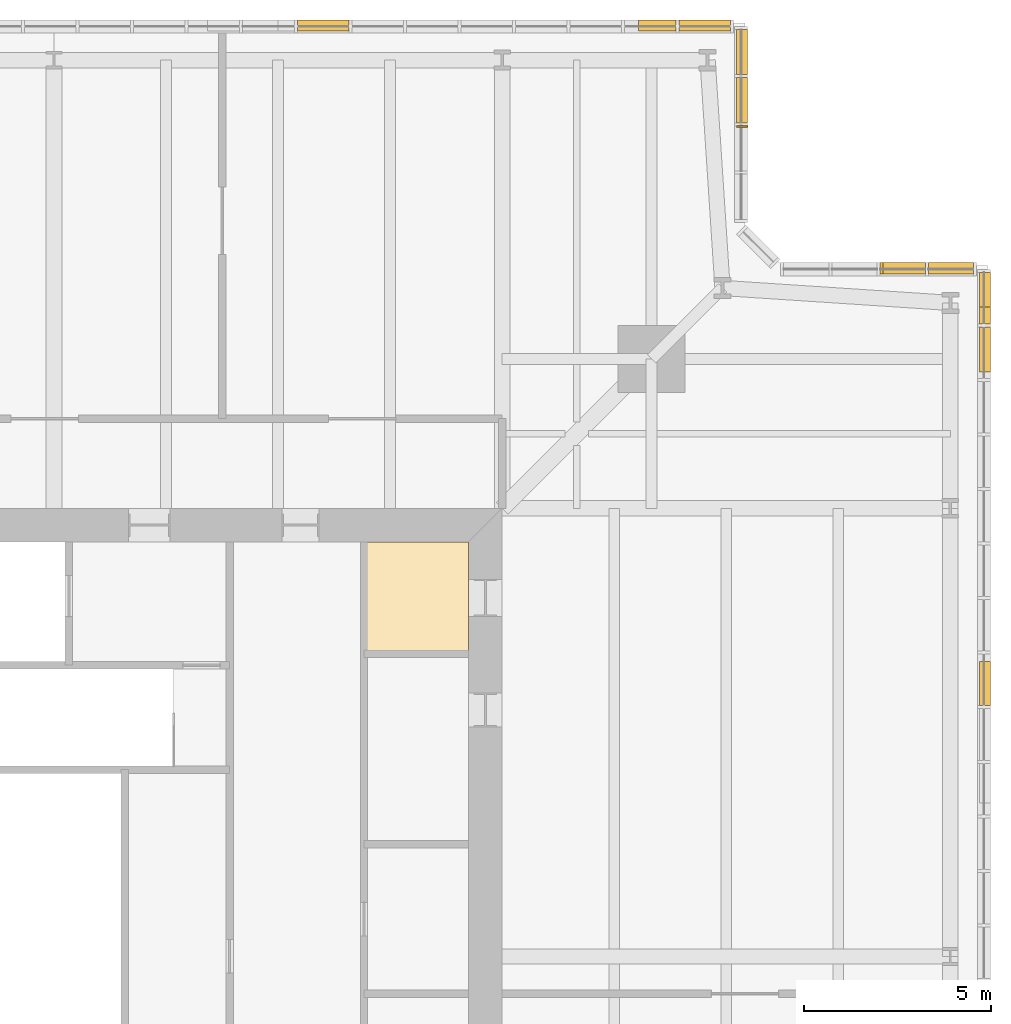
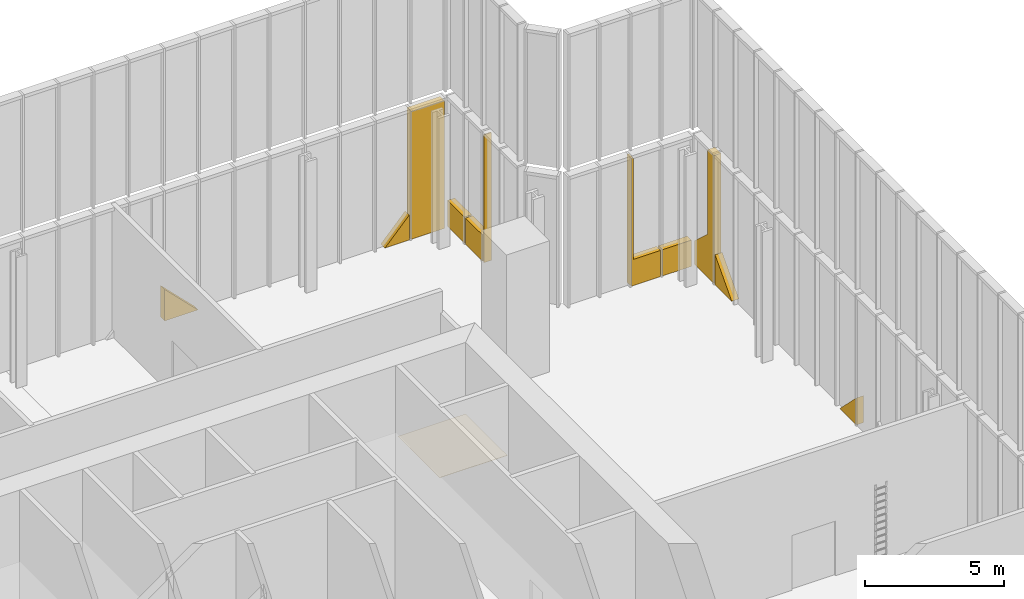
# One storey, part 24 of 25: 12 coverings.
"""IFC4 building model written with IfcOpenShell, lengths in metres."""

from ifc_helpers import new_model, si_unit, direction, frame, origin, place, context, subcontext, project, spatial, polyline, outline, extrude, material, layer, layer_set, type_object, element, save


model = new_model("IFC4")

# Units and contexts
model_context = context("Model", 3, precision=1e-05, world=origin(), true_north=direction((0.0, 1.0)))
body_context = subcontext(model_context, "Body", "Model", "MODEL_VIEW")
ifc_project = project(units=[si_unit("LENGTHUNIT", "METRE"), si_unit("AREAUNIT", "SQUARE_METRE"), si_unit("VOLUMEUNIT", "CUBIC_METRE"), si_unit("PLANEANGLEUNIT", "RADIAN"), si_unit("MASSUNIT", "GRAM", prefix="KILO")], contexts=[model_context])

# Site, building, storey
site_placement = place(None, origin())
site = spatial("IfcSite", under=ifc_project, at=site_placement, CompositionType="ELEMENT")
building_placement = place(site_placement, origin())
building = spatial("IfcBuilding", under=site, at=building_placement, Name="Fenwick Lantern Interchange", CompositionType="ELEMENT")
storey_placement = place(building_placement, frame((0.0, 0.0, 307.800048828125)))
storey = spatial("IfcBuildingStorey", under=building, at=storey_placement, Name="L74", CompositionType="ELEMENT", Elevation=307.800048828125)

# Coverings
ifc_material_1 = material(Name="Granite cladding, warm grey flamed finish, on aluminium carrier frame", Category="masonry")
ifc_layer_1 = layer(ifc_material_1, 0.300048828125)
ifc_layer_set_1 = layer_set([ifc_layer_1], Name="BRACE CASING PANEL 300")
covering_type_1 = type_object("IfcCoveringType", Name="BRACE CASING PANEL 300", PredefinedType="CLADDING", material=ifc_layer_set_1)
covering_1_placement = place(storey_placement, frame((49.89990234375, 6.60009765625, 0.0), z_axis=(0.0, 0.0, 1.0), x_axis=(0.0, 1.0, 0.0)))
element("IfcCovering", 1, at=covering_1_placement, inside=storey, type_object=covering_type_1, Name="Brace casing 05 bay 17a", PredefinedType="CLADDING", context=body_context, shape_type="SweptSolid", body=[
    extrude(outline(polyline([(25.113525390625, 0.0), (26.295654296875, 0.0), (25.113525390625, 1.181884765625), (25.113525390625, 0.0)])), frame((0.0, 0.125, 0.0), z_axis=(0.0, -1.0, 0.0), x_axis=(1.0, 0.0, 0.0)), (0.0, 0.0, 1.0), 0.300048828125),
])
covering_2_placement = place(storey_placement, frame((49.89990234375, 6.60009765625, 0.0), z_axis=(0.0, 0.0, 1.0), x_axis=(0.0, 1.0, 0.0)))
element("IfcCovering", 2, at=covering_2_placement, inside=storey, type_object=covering_type_1, Name="Brace casing 05 bay 23a", PredefinedType="CLADDING", context=body_context, shape_type="SweptSolid", body=[
    extrude(outline(polyline([(34.053955078125, 0.0), (35.25927734375, 0.0), (35.25927734375, 1.314697265625), (34.053955078125, 0.0)])), frame((0.0, 0.125, 0.0), z_axis=(0.0, -1.0, 0.0), x_axis=(1.0, 0.0, 0.0)), (0.0, 0.0, 1.0), 0.300048828125),
])
covering_3_placement = place(storey_placement, frame((49.89990234375, 6.60009765625, 0.0), z_axis=(0.0, 0.0, 1.0), x_axis=(0.0, 1.0, 0.0)))
element("IfcCovering", 3, at=covering_3_placement, inside=storey, type_object=covering_type_1, Name="Brace casing 05 bay 24a", PredefinedType="CLADDING", context=body_context, shape_type="SweptSolid", body=[
    extrude(outline(polyline([(35.339111328125, 0.0), (36.719970703125, 0.0), (36.719970703125, 1.0400390625), (35.789306640625, 1.89306640625), (35.789306640625, 5.60986328125), (35.339111328125, 5.60986328125), (35.339111328125, 0.0)])), frame((0.0, 0.125, 0.0), z_axis=(0.0, -1.0, 0.0), x_axis=(1.0, 0.0, 0.0)), (0.0, 0.0, 1.0), 0.300048828125),
])
covering_4_placement = place(storey_placement, frame((49.89990234375, 43.39990234375, 0.0), z_axis=(0.0, 0.0, 1.0), x_axis=(-1.0, 0.0, 0.0)))
element("IfcCovering", 4, at=covering_4_placement, inside=storey, type_object=covering_type_1, Name="Brace casing 06 bay 00a", PredefinedType="CLADDING", context=body_context, shape_type="SweptSolid", body=[
    extrude(outline(polyline([(0.280029296875, 0.0), (1.490234375, 0.0), (1.490234375, 1.14990234375), (0.280029296875, 1.14990234375), (0.280029296875, 0.0)])), frame((0.0, 0.125, 0.0), z_axis=(0.0, -1.0, 0.0), x_axis=(1.0, 0.0, 0.0)), (0.0, 0.0, 1.0), 0.300048828125),
])
covering_5_placement = place(storey_placement, frame((49.89990234375, 43.39990234375, 0.0), z_axis=(0.0, 0.0, 1.0), x_axis=(-1.0, 0.0, 0.0)))
element("IfcCovering", 5, at=covering_5_placement, inside=storey, type_object=covering_type_1, Name="Brace casing 06 bay 01a", PredefinedType="CLADDING", context=body_context, shape_type="SweptSolid", body=[
    extrude(outline(polyline([(1.5703125, 0.0), (2.78076171875, 0.0), (2.78076171875, 5.60986328125), (2.699951171875, 5.60986328125), (2.699951171875, 1.14990234375), (1.5703125, 1.14990234375), (1.5703125, 0.0)])), frame((0.0, 0.125, 0.0), z_axis=(0.0, -1.0, 0.0), x_axis=(1.0, 0.0, 0.0)), (0.0, 0.0, 1.0), 0.300048828125),
])
covering_6_placement = place(storey_placement, frame((43.39990234375, 44.45849609375, 0.0), z_axis=(0.0, 0.0, 1.0), x_axis=(0.0, 1.0, 0.0)))
element("IfcCovering", 6, at=covering_6_placement, inside=storey, type_object=covering_type_1, Name="Brace casing 08 bay 01a", PredefinedType="CLADDING", context=body_context, shape_type="SweptSolid", body=[
    extrude(outline(polyline([(2.741455078125, 0.0), (2.78076171875, 0.0), (2.78076171875, 5.60986328125), (2.741455078125, 5.60986328125), (2.741455078125, 0.0)])), frame((0.0, 0.125, 0.0), z_axis=(0.0, -1.0, 0.0), x_axis=(1.0, 0.0, 0.0)), (0.0, 0.0, 1.0), 0.300048828125),
])
covering_7_placement = place(storey_placement, frame((43.39990234375, 44.45849609375, 0.0), z_axis=(0.0, 0.0, 1.0), x_axis=(0.0, 1.0, 0.0)))
element("IfcCovering", 7, at=covering_7_placement, inside=storey, type_object=covering_type_1, Name="Brace casing 08 bay 02a", PredefinedType="CLADDING", context=body_context, shape_type="SweptSolid", body=[
    extrude(outline(polyline([(2.860595703125, 0.0), (4.071044921875, 0.0), (4.071044921875, 1.14990234375), (2.860595703125, 1.14990234375), (2.860595703125, 0.0)])), frame((0.0, 0.125, 0.0), z_axis=(0.0, -1.0, 0.0), x_axis=(1.0, 0.0, 0.0)), (0.0, 0.0, 1.0), 0.300048828125),
])
covering_8_placement = place(storey_placement, frame((43.39990234375, 44.45849609375, 0.0), z_axis=(0.0, 0.0, 1.0), x_axis=(0.0, 1.0, 0.0)))
element("IfcCovering", 8, at=covering_8_placement, inside=storey, type_object=covering_type_1, Name="Brace casing 08 bay 03a", PredefinedType="CLADDING", context=body_context, shape_type="SweptSolid", body=[
    extrude(outline(polyline([(4.151123046875, 0.0), (5.361328125, 0.0), (5.361328125, 1.14990234375), (4.151123046875, 1.14990234375), (4.151123046875, 0.0)])), frame((0.0, 0.125, 0.0), z_axis=(0.0, -1.0, 0.0), x_axis=(1.0, 0.0, 0.0)), (0.0, 0.0, 1.0), 0.300048828125),
])
covering_9_placement = place(storey_placement, frame((43.39990234375, 49.89990234375, 0.0), z_axis=(0.0, 0.0, 1.0), x_axis=(-1.0, 0.0, 0.0)))
element("IfcCovering", 9, at=covering_9_placement, inside=storey, type_object=covering_type_1, Name="Brace casing 09 bay 00a", PredefinedType="CLADDING", context=body_context, shape_type="SweptSolid", body=[
    extrude(outline(polyline([(0.280029296875, 0.0), (1.660888671875, 0.0), (1.660888671875, 5.60986328125), (0.280029296875, 5.60986328125), (0.280029296875, 0.0)])), frame((0.0, 0.125, 0.0), z_axis=(0.0, -1.0, 0.0), x_axis=(1.0, 0.0, 0.0)), (0.0, 0.0, 1.0), 0.300048828125),
])
covering_10_placement = place(storey_placement, frame((43.39990234375, 49.89990234375, 0.0), z_axis=(0.0, 0.0, 1.0), x_axis=(-1.0, 0.0, 0.0)))
element("IfcCovering", 10, at=covering_10_placement, inside=storey, type_object=covering_type_1, Name="Brace casing 09 bay 01a", PredefinedType="CLADDING", context=body_context, shape_type="SweptSolid", body=[
    extrude(outline(polyline([(1.74072265625, 0.0), (2.74609375, 0.0), (1.74072265625, 1.096435546875), (1.74072265625, 0.0)])), frame((0.0, 0.125, 0.0), z_axis=(0.0, -1.0, 0.0), x_axis=(1.0, 0.0, 0.0)), (0.0, 0.0, 1.0), 0.300048828125),
])
covering_11_placement = place(storey_placement, frame((43.39990234375, 49.89990234375, 0.0), z_axis=(0.0, 0.0, 1.0), x_axis=(-1.0, 0.0, 0.0)))
element("IfcCovering", 11, at=covering_11_placement, inside=storey, type_object=covering_type_1, Name="Brace casing 09 bay 07a", PredefinedType="CLADDING", context=body_context, shape_type="SweptSolid", body=[
    extrude(outline(polyline([(10.505615234375, 0.0), (11.886474609375, 0.0), (11.886474609375, 1.3818359375), (10.505615234375, 0.001220703125), (10.505615234375, 0.0)])), frame((0.0, 0.125, 0.0), z_axis=(0.0, -1.0, 0.0), x_axis=(1.0, 0.0, 0.0)), (0.0, 0.0, 1.0), 0.300048828125),
])
ifc_material_2 = material(Name="Moisture resistant gypsum board on suspended frame, painted")
ifc_layer_2 = layer(ifc_material_2, 0.014892578125)
ifc_layer_set_2 = layer_set([ifc_layer_2], Name="MOISTURE RESISTANT CEILING 15")
covering_type_2 = type_object("IfcCoveringType", Name="MOISTURE RESISTANT CEILING 15", PredefinedType="CEILING", material=ifc_layer_set_2)
covering_12_placement = place(storey_placement, frame((0.0, 0.0, 2.599853515625)))
element("IfcCovering", 12, at=covering_12_placement, inside=storey, type_object=covering_type_2, Name="Accessible WC ceiling", PredefinedType="CEILING", context=body_context, shape_type="SweptSolid", body=[
    extrude(outline(polyline([(36.10009765625, 36.10009765625), (33.300048828125, 36.10009765625), (33.300048828125, 33.10009765625), (36.10009765625, 33.10009765625), (36.10009765625, 36.10009765625)])), origin(), (0.0, 0.0, 1.0), 0.01513671875),
])

save(model, "model.ifc")
